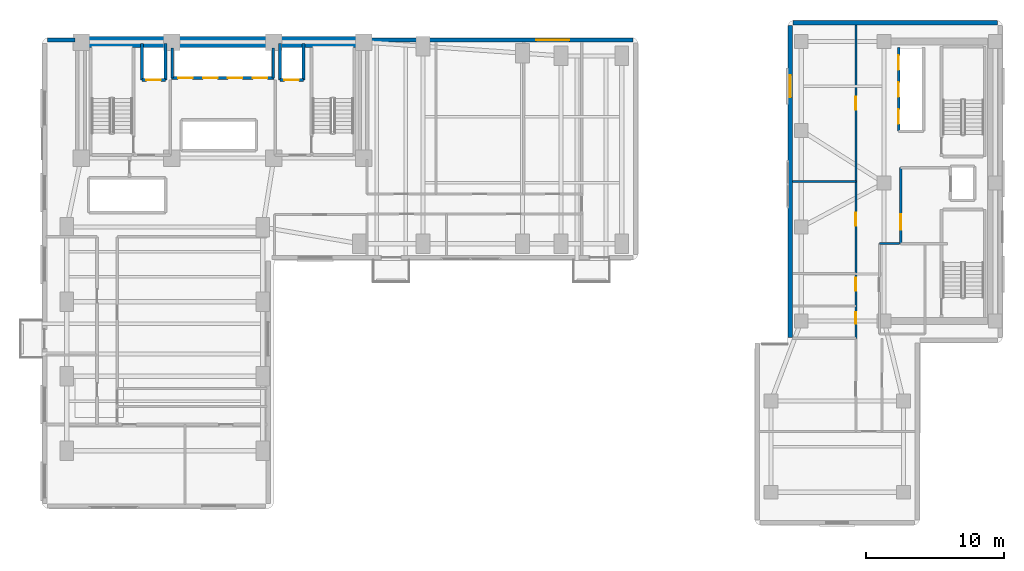
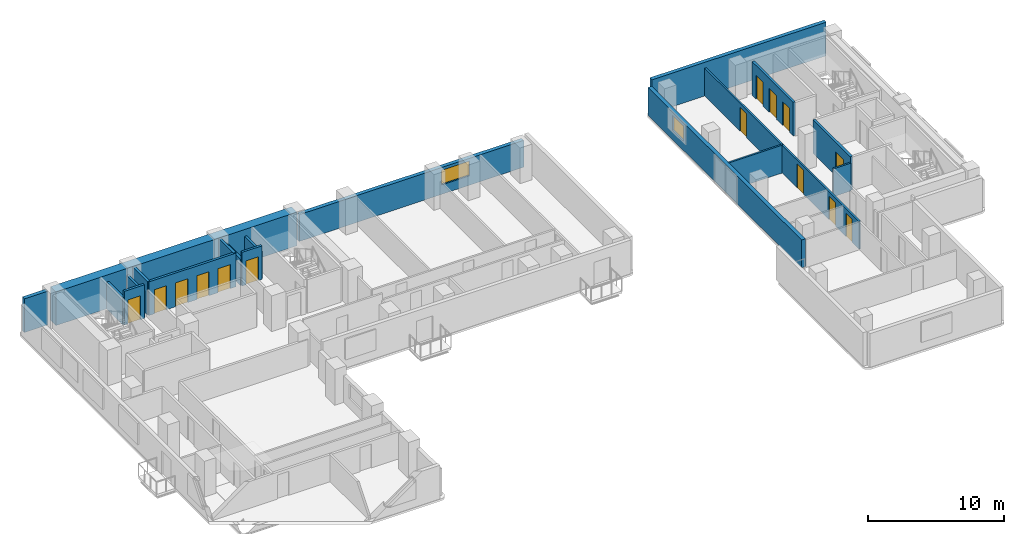
# One storey, part 12 of 17: 19 walls, 14 doors, 2 windows, 16 openings.
"""IFC4 building model written with IfcOpenShell, lengths in metres."""

from ifc_helpers import new_model, si_unit, direction, frame, frame_2d, origin, place, context, subcontext, project, spatial, rectangle, extrude, material, layer, layer_set, type_object, element, fill, save


model = new_model("IFC4")

# Units and contexts
model_context = context("Model", 3, precision=1e-05, world=origin(), true_north=direction((0.0, 1.0)))
body_context = subcontext(model_context, "Body", "Model", "MODEL_VIEW")
ifc_project = project(units=[si_unit("LENGTHUNIT", "METRE"), si_unit("AREAUNIT", "SQUARE_METRE"), si_unit("VOLUMEUNIT", "CUBIC_METRE"), si_unit("PLANEANGLEUNIT", "RADIAN"), si_unit("MASSUNIT", "GRAM", prefix="KILO")], contexts=[model_context])

# Site, building, storey
site_placement = place(None, origin())
site = spatial("IfcSite", under=ifc_project, at=site_placement, CompositionType="ELEMENT")
building_placement = place(site_placement, origin())
building = spatial("IfcBuilding", under=site, at=building_placement, Name="Kuzgunbayir Cultural Tower", CompositionType="ELEMENT")
storey_placement = place(building_placement, frame((0.0, 0.0, 46.800048828125)))
storey = spatial("IfcBuildingStorey", under=building, at=storey_placement, Name="L12", CompositionType="ELEMENT", Elevation=46.800048828125)

# Wall
ifc_material_1 = material(Name="Concrete C60/75", Category="concrete")
ifc_layer_1 = layer(ifc_material_1, 0.800048828125)
ifc_layer_set_1 = layer_set([ifc_layer_1], Name="Concrete C60/75")
wall_type_1 = type_object("IfcWallType", Name="WAL-CORE-800", PredefinedType="SHEAR", material=ifc_layer_set_1)
wall_1_placement = place(storey_placement, frame((6.449951171875, 42.199951171875, 0.0), z_axis=(0.0, 0.0, 1.0), x_axis=(1.0, 0.0, 0.0)))
element("IfcWall", 1, at=wall_1_placement, inside=storey, type_object=wall_type_1, Name="L12 T1 Core North Shear Wall", PredefinedType="SHEAR", context=body_context, shape_type="SweptSolid", body=[
    extrude(rectangle(XDim=20.449951171875, YDim=0.800048828125, at=frame_2d((10.22509765625, 0.0))), origin(), (0.0, 0.0, 1.0), 3.02001953125),
])

# Wall, opening, window
ifc_material_2 = material(Name="Travertine Buff Ashlar", Category="masonry")
ifc_layer_2 = layer(ifc_material_2, 0.320068359375)
ifc_layer_set_2 = layer_set([ifc_layer_2], Name="Travertine Buff Ashlar")
wall_type_2 = type_object("IfcWallType", Name="WAL-EXT-STONE-320", PredefinedType="STANDARD", material=ifc_layer_set_2)
wall_2_placement = place(storey_placement, frame((46.39990234375, 42.35009765625, 0.0), z_axis=(0.0, 0.0, 1.0), x_axis=(-1.0, 0.0, 0.0)))
wall_2 = element("IfcWall", 2, at=wall_2_placement, inside=storey, type_object=wall_type_2, Name="L12 North Wing B Limestone Wall", PredefinedType="STANDARD", context=body_context, shape_type="SweptSolid", body=[
    extrude(rectangle(XDim=19.0498046875, YDim=0.320068359375, at=frame_2d((9.52490234375, 0.0))), origin(), (0.0, 0.0, 1.0), 2.409912109375),
])
opening_1_placement = place(wall_2_placement, frame((4.60009765625, 0.0, 0.85009765625)))
opening_1 = element("IfcOpeningElement", 3, at=opening_1_placement, cuts=wall_2, Name="Opening WO-24", PredefinedType="OPENING", context=body_context, shape_type="SweptSolid", body=[
    extrude(rectangle(XDim=2.39990234375, YDim=1.31005859375, at=frame_2d((1.199951171875, 0.655029296875))), frame((0.0, 0.169921875, 0.0), z_axis=(0.0, -1.0, 0.0), x_axis=(1.0, 0.0, 0.0)), (0.0, 0.0, 1.0), 0.340087890625),
])
ifc_material_3 = material(Name="Solar-Control Triple Glazing", Category="glass")
window_type_1 = type_object("IfcWindowType", Name="WIN-OFFICE-24", PartitioningType="SINGLE_PANEL", PredefinedType="WINDOW", material=ifc_material_3)
window_1_placement = place(opening_1_placement, origin())
window_1 = element("IfcWindow", 4, at=window_1_placement, inside=storey, type_object=window_type_1, Name="L12 CRN Facade Window 1", OverallHeight=1.31005859375, OverallWidth=2.39990234375, PartitioningType="SINGLE_PANEL", PredefinedType="WINDOW", context=body_context, shape_type="SweptSolid", body=[
    extrude(rectangle(XDim=2.39990234375, YDim=1.31005859375, at=frame_2d((1.199951171875, 0.655029296875))), frame((0.0, 0.030029296875, 0.0), z_axis=(0.0, -1.0, 0.0), x_axis=(1.0, 0.0, 0.0)), (0.0, 0.0, 1.0), 0.06005859375),
])
fill(opening_1, window_1)

# Wall
wall_3_placement = place(storey_placement, frame((6.0, 42.35009765625, 0.0), z_axis=(0.0, 0.0, 1.0), x_axis=(-1.0, 0.0, 0.0)))
element("IfcWall", 5, at=wall_3_placement, inside=storey, type_object=wall_type_2, Name="L12 Core North-West Spandrel Link", PredefinedType="STANDARD", context=body_context, shape_type="SweptSolid", body=[
    extrude(rectangle(XDim=2.0, YDim=0.320068359375, at=frame_2d((1.0, 0.0))), origin(), (0.0, 0.0, 1.0), 3.02001953125),
])

# Wall, opening, window
wall_4_placement = place(storey_placement, frame((57.800048828125, 43.39990234375, 0.0), z_axis=(0.0, 0.0, 1.0), x_axis=(0.0, -1.0, 0.0)))
wall_4 = element("IfcWall", 6, at=wall_4_placement, inside=storey, type_object=wall_type_2, Name="L12 Companion West Limestone Wall", PredefinedType="STANDARD", context=body_context, shape_type="SweptSolid", body=[
    extrude(rectangle(XDim=22.599853515625, YDim=0.320068359375, at=frame_2d((11.2998046875, 0.0))), origin(), (0.0, 0.0, 1.0), 2.5),
])
opening_2_placement = place(wall_4_placement, frame((3.60009765625, 0.0, 0.85009765625)))
opening_2 = element("IfcOpeningElement", 7, at=opening_2_placement, cuts=wall_4, Name="Opening WC-16", PredefinedType="OPENING", context=body_context, shape_type="SweptSolid", body=[
    extrude(rectangle(XDim=1.60009765625, YDim=1.35009765625, at=frame_2d((0.800048828125, 0.675048828125))), frame((0.0, 0.169921875, 0.0), z_axis=(0.0, -1.0, 0.0), x_axis=(1.0, 0.0, 0.0)), (0.0, 0.0, 1.0), 0.340087890625),
])
window_type_2 = type_object("IfcWindowType", Name="WIN-COMP-16", PartitioningType="SINGLE_PANEL", PredefinedType="WINDOW", material=ifc_material_3)
window_2_placement = place(opening_2_placement, origin())
window_2 = element("IfcWindow", 8, at=window_2_placement, inside=storey, type_object=window_type_2, Name="L12 Companion West Window 39", OverallHeight=1.35009765625, OverallWidth=1.60009765625, PartitioningType="SINGLE_PANEL", PredefinedType="WINDOW", context=body_context, shape_type="SweptSolid", body=[
    extrude(rectangle(XDim=1.60009765625, YDim=1.35009765625, at=frame_2d((0.800048828125, 0.675048828125))), frame((0.0, 0.030029296875, 0.0), z_axis=(0.0, -1.0, 0.0), x_axis=(1.0, 0.0, 0.0)), (0.0, 0.0, 1.0), 0.06005859375),
])
fill(opening_2, window_2)

# Walls
wall_5_placement = place(storey_placement, frame((72.800048828125, 43.60009765625, 0.0), z_axis=(0.0, 0.0, 1.0), x_axis=(-1.0, 0.0, 0.0)))
element("IfcWall", 9, at=wall_5_placement, inside=storey, type_object=wall_type_2, Name="L12 Companion North Limestone Wall", PredefinedType="STANDARD", context=body_context, shape_type="SweptSolid", body=[
    extrude(rectangle(XDim=14.800048828125, YDim=0.320068359375, at=frame_2d((7.39990234375, 0.0))), origin(), (0.0, 0.0, 1.0), 3.02001953125),
])
ifc_material_4 = material(Name="Acoustic Double-Stud Drywall", Category="gypsum")
ifc_layer_3 = layer(ifc_material_4, 0.14990234375)
ifc_layer_set_3 = layer_set([ifc_layer_3], Name="Acoustic Double-Stud Drywall")
wall_type_3 = type_object("IfcWallType", Name="WAL-PART-ACOUSTIC-150", PredefinedType="PARTITIONING", material=ifc_layer_set_3)
wall_6_placement = place(storey_placement, frame((64.25, 27.60009765625, 0.0), z_axis=(0.0, 0.0, 1.0), x_axis=(1.0, 0.0, 0.0)))
element("IfcWall", 10, at=wall_6_placement, inside=storey, type_object=wall_type_3, Name="L12 Companion Archive North Wall", PredefinedType="PARTITIONING", context=body_context, shape_type="SweptSolid", body=[
    extrude(rectangle(XDim=1.469970703125, YDim=0.14990234375, at=frame_2d((0.73486328125, 0.0))), origin(), (0.0, 0.0, 1.0), 2.5),
])

# Wall, openings, doors
wall_7_placement = place(storey_placement, frame((62.550048828125, 20.75, 0.0), z_axis=(0.0, 0.0, 1.0), x_axis=(0.0, 1.0, 0.0)))
wall_7 = element("IfcWall", 11, at=wall_7_placement, inside=storey, type_object=wall_type_3, Name="L12 Companion Corridor West Wall", PredefinedType="PARTITIONING", context=body_context, shape_type="SweptSolid", body=[
    extrude(rectangle(XDim=22.699951171875, YDim=0.14990234375, at=frame_2d((11.35009765625, 0.0))), origin(), (0.0, 0.0, 1.0), 2.5),
])
opening_3_placement = place(wall_7_placement, frame((1.050048828125, 0.0, 0.0)))
opening_3 = element("IfcOpeningElement", 12, at=opening_3_placement, cuts=wall_7, Name="Opening DW-85", PredefinedType="OPENING", context=body_context, shape_type="SweptSolid", body=[
    extrude(rectangle(XDim=0.85009765625, YDim=2.10009765625, at=frame_2d((0.425048828125, 1.050048828125))), frame((0.0, 0.0849609375, 0.0), z_axis=(0.0, -1.0, 0.0), x_axis=(1.0, 0.0, 0.0)), (0.0, 0.0, 1.0), 0.169921875),
])
opening_4_placement = place(wall_7_placement, frame((3.429931640625, 0.0, 0.0)))
opening_4 = element("IfcOpeningElement", 13, at=opening_4_placement, cuts=wall_7, Name="Opening DW-95", PredefinedType="OPENING", context=body_context, shape_type="SweptSolid", body=[
    extrude(rectangle(XDim=0.949951171875, YDim=2.10009765625, at=frame_2d((0.47509765625, 1.050048828125))), frame((0.0, 0.0849609375, 0.0), z_axis=(0.0, -1.0, 0.0), x_axis=(1.0, 0.0, 0.0)), (0.0, 0.0, 1.0), 0.169921875),
])
opening_5_placement = place(wall_7_placement, frame((8.14990234375, 0.0, 0.0)))
opening_5 = element("IfcOpeningElement", 14, at=opening_5_placement, cuts=wall_7, Name="Opening DI-90", PredefinedType="OPENING", context=body_context, shape_type="SweptSolid", body=[
    extrude(rectangle(XDim=0.949951171875, YDim=2.14990234375, at=frame_2d((0.47509765625, 1.074951171875))), frame((0.0, 0.0849609375, 0.0), z_axis=(0.0, -1.0, 0.0), x_axis=(1.0, 0.0, 0.0)), (0.0, 0.0, 1.0), 0.169921875),
])
opening_6_placement = place(wall_7_placement, frame((16.550048828125, 0.0, 0.0)))
opening_6 = element("IfcOpeningElement", 15, at=opening_6_placement, cuts=wall_7, Name="Opening DI-90", PredefinedType="OPENING", context=body_context, shape_type="SweptSolid", body=[
    extrude(rectangle(XDim=0.949951171875, YDim=2.14990234375, at=frame_2d((0.47509765625, 1.074951171875))), frame((0.0, 0.0849609375, 0.0), z_axis=(0.0, -1.0, 0.0), x_axis=(1.0, 0.0, 0.0)), (0.0, 0.0, 1.0), 0.169921875),
])
ifc_material_5 = material(Name="Veneered Oak Single Leaf", Category="wood")
door_type_1 = type_object("IfcDoorType", Name="DR-INT-90", OperationType="NOTDEFINED", PredefinedType="DOOR", material=ifc_material_5)
door_1_placement = place(opening_5_placement, origin())
door_1 = element("IfcDoor", 16, at=door_1_placement, inside=storey, type_object=door_type_1, Name="L12 Companion Curatorial Office 1 Door", OperationType="SINGLE_SWING_LEFT", OverallHeight=2.14990234375, OverallWidth=0.949951171875, PredefinedType="DOOR", context=body_context, shape_type="SweptSolid", body=[
    extrude(rectangle(XDim=0.949951171875, YDim=2.14990234375, at=frame_2d((0.47509765625, 1.074951171875))), frame((0.0, 0.02490234375, 0.0), z_axis=(0.0, -1.0, 0.0), x_axis=(1.0, 0.0, 0.0)), (0.0, 0.0, 1.0), 0.050048828125),
])
fill(opening_5, door_1)
door_2_placement = place(opening_6_placement, origin())
door_2 = element("IfcDoor", 17, at=door_2_placement, inside=storey, type_object=door_type_1, Name="L12 Companion Art Publication Salon 2 Door", OperationType="SINGLE_SWING_RIGHT", OverallHeight=2.14990234375, OverallWidth=0.949951171875, PredefinedType="DOOR", context=body_context, shape_type="SweptSolid", body=[
    extrude(rectangle(XDim=0.949951171875, YDim=2.14990234375, at=frame_2d((0.47509765625, 1.074951171875))), frame((0.0, 0.02490234375, 0.0), z_axis=(0.0, -1.0, 0.0), x_axis=(1.0, 0.0, 0.0)), (0.0, 0.0, 1.0), 0.050048828125),
])
fill(opening_6, door_2)
ifc_material_6 = material(Name="Laminate Moisture-Resistant Leaf", Category="wood")
door_type_2 = type_object("IfcDoorType", Name="DR-WET-85", OperationType="NOTDEFINED", PredefinedType="DOOR", material=ifc_material_6)
door_3_placement = place(opening_3_placement, origin())
door_3 = element("IfcDoor", 18, at=door_3_placement, inside=storey, type_object=door_type_2, Name="L12 Companion WC Door", OperationType="SINGLE_SWING_LEFT", OverallHeight=2.10009765625, OverallWidth=0.85009765625, PredefinedType="DOOR", context=body_context, shape_type="SweptSolid", body=[
    extrude(rectangle(XDim=0.85009765625, YDim=2.10009765625, at=frame_2d((0.425048828125, 1.050048828125))), frame((0.0, 0.02490234375, 0.0), z_axis=(0.0, -1.0, 0.0), x_axis=(1.0, 0.0, 0.0)), (0.0, 0.0, 1.0), 0.050048828125),
])
fill(opening_3, door_3)
door_type_3 = type_object("IfcDoorType", Name="DR-WET-95", OperationType="NOTDEFINED", PredefinedType="DOOR", material=ifc_material_6)
door_4_placement = place(opening_4_placement, origin())
door_4 = element("IfcDoor", 19, at=door_4_placement, inside=storey, type_object=door_type_3, Name="L12 Companion Accessible WC Door", OperationType="SINGLE_SWING_RIGHT", OverallHeight=2.10009765625, OverallWidth=0.949951171875, PredefinedType="DOOR", context=body_context, shape_type="SweptSolid", body=[
    extrude(rectangle(XDim=0.949951171875, YDim=2.10009765625, at=frame_2d((0.47509765625, 1.050048828125))), frame((0.0, 0.02490234375, 0.0), z_axis=(0.0, -1.0, 0.0), x_axis=(1.0, 0.0, 0.0)), (0.0, 0.0, 1.0), 0.050048828125),
])
fill(opening_4, door_4)

# Wall
wall_8_placement = place(storey_placement, frame((57.949951171875, 32.110107421875, 0.0), z_axis=(0.0, 0.0, 1.0), x_axis=(1.0, 0.0, 0.0)))
element("IfcWall", 20, at=wall_8_placement, inside=storey, type_object=wall_type_3, Name="L12 Companion Studio Partition 1", PredefinedType="PARTITIONING", context=body_context, shape_type="SweptSolid", body=[
    extrude(rectangle(XDim=4.60009765625, YDim=0.14990234375, at=frame_2d((2.300048828125, 0.0))), origin(), (0.0, 0.0, 1.0), 2.5),
])

# Wall, opening, door
ifc_material_7 = material(Name="Aerated Concrete Blockwork", Category="masonry")
ifc_layer_4 = layer(ifc_material_7, 0.199951171875)
ifc_layer_set_4 = layer_set([ifc_layer_4], Name="Aerated Concrete Blockwork")
wall_type_4 = type_object("IfcWallType", Name="WAL-PART-FIRE-200", PredefinedType="PARTITIONING", material=ifc_layer_set_4)
wall_9_placement = place(storey_placement, frame((65.800048828125, 27.60009765625, 0.0), z_axis=(0.0, 0.0, 1.0), x_axis=(0.0, 1.0, 0.0)))
wall_9 = element("IfcWall", 21, at=wall_9_placement, inside=storey, type_object=wall_type_4, Name="L12 FFL-3 Lobby West Fire Wall", PredefinedType="PARTITIONING", context=body_context, shape_type="SweptSolid", body=[
    extrude(rectangle(XDim=5.5, YDim=0.199951171875, at=frame_2d((2.75, 0.0))), origin(), (0.0, 0.0, 1.0), 3.02001953125),
])
opening_7_placement = place(wall_9_placement, frame((1.0, 0.0, 0.0)))
opening_7 = element("IfcOpeningElement", 22, at=opening_7_placement, cuts=wall_9, Name="Opening DR-FFL-90", PredefinedType="OPENING", context=body_context, shape_type="SweptSolid", body=[
    extrude(rectangle(XDim=1.14990234375, YDim=2.14990234375, at=frame_2d((0.574951171875, 1.074951171875))), frame((0.0, 0.10986328125, 0.0), z_axis=(0.0, -1.0, 0.0), x_axis=(1.0, 0.0, 0.0)), (0.0, 0.0, 1.0), 0.219970703125),
])
ifc_material_8 = material(Name="Steel S355J2", Category="steel")
door_type_4 = type_object("IfcDoorType", Name="DR-FFL-90", OperationType="NOTDEFINED", PredefinedType="DOOR", material=ifc_material_8)
door_5_placement = place(opening_7_placement, origin())
door_5 = element("IfcDoor", 23, at=door_5_placement, inside=storey, type_object=door_type_4, Name="L12 Firefighting Lobby 3 Door", OperationType="SINGLE_SWING_RIGHT", OverallHeight=2.14990234375, OverallWidth=1.14990234375, PredefinedType="DOOR", context=body_context, shape_type="SweptSolid", body=[
    extrude(rectangle(XDim=1.14990234375, YDim=2.14990234375, at=frame_2d((0.574951171875, 1.074951171875))), frame((0.0, 0.02490234375, 0.0), z_axis=(0.0, -1.0, 0.0), x_axis=(1.0, 0.0, 0.0)), (0.0, 0.0, 1.0), 0.050048828125),
])
fill(opening_7, door_5)

ifc_material_9 = material(Name="Concrete C40/50", Category="concrete")
ifc_layer_5 = layer(ifc_material_9, 0.199951171875)
ifc_layer_set_5 = layer_set([ifc_layer_5], Name="Concrete C40/50")
wall_type_5 = type_object("IfcWallType", Name="WAL-SHAFT-200", PredefinedType="MOVABLE", material=ifc_layer_set_5)
wall_10_placement = place(storey_placement, frame((10.85009765625, 39.449951171875, 0.0), z_axis=(0.0, 0.0, 1.0), x_axis=(1.0, 0.0, 0.0)))
wall_10 = element("IfcWall", 24, at=wall_10_placement, inside=storey, type_object=wall_type_5, Name="L12 FFL-1 Lift Front Wall", PredefinedType="MOVABLE", context=body_context, shape_type="SweptSolid", body=[
    extrude(rectangle(XDim=1.699951171875, YDim=0.199951171875, at=frame_2d((0.85009765625, 0.0))), origin(), (0.0, 0.0, 1.0), 3.02001953125),
])
opening_8_placement = place(wall_10_placement, frame((0.320068359375, 0.0, 0.0)))
opening_8 = element("IfcOpeningElement", 25, at=opening_8_placement, cuts=wall_10, Name="Opening LD", PredefinedType="OPENING", context=body_context, shape_type="SweptSolid", body=[
    extrude(rectangle(XDim=1.050048828125, YDim=2.14990234375, at=frame_2d((0.52490234375, 1.074951171875))), frame((0.0, 0.10986328125, 0.0), z_axis=(0.0, -1.0, 0.0), x_axis=(1.0, 0.0, 0.0)), (0.0, 0.0, 1.0), 0.219970703125),
])
ifc_material_10 = material(Name="Brushed Stainless Steel", Category="steel")
door_type_5 = type_object("IfcDoorType", Name="DR-LIFT-LANDING", OperationType="SLIDING_TO_LEFT", PredefinedType="DOOR", material=ifc_material_10)
door_6_placement = place(opening_8_placement, origin())
door_6 = element("IfcDoor", 26, at=door_6_placement, inside=storey, type_object=door_type_5, Name="L12 Lift FFL-1 Landing Door", OperationType="SLIDING_TO_LEFT", OverallHeight=2.14990234375, OverallWidth=1.050048828125, PredefinedType="DOOR", context=body_context, shape_type="SweptSolid", body=[
    extrude(rectangle(XDim=1.050048828125, YDim=2.14990234375, at=frame_2d((0.52490234375, 1.074951171875))), frame((0.0, 0.02490234375, 0.0), z_axis=(0.0, -1.0, 0.0), x_axis=(1.0, 0.0, 0.0)), (0.0, 0.0, 1.0), 0.050048828125),
])
fill(opening_8, door_6)

wall_11_placement = place(storey_placement, frame((20.85009765625, 39.449951171875, 0.0), z_axis=(0.0, 0.0, 1.0), x_axis=(1.0, 0.0, 0.0)))
wall_11 = element("IfcWall", 27, at=wall_11_placement, inside=storey, type_object=wall_type_5, Name="L12 FFL-2 Lift Front Wall", PredefinedType="MOVABLE", context=body_context, shape_type="SweptSolid", body=[
    extrude(rectangle(XDim=1.699951171875, YDim=0.199951171875, at=frame_2d((0.85009765625, 0.0))), origin(), (0.0, 0.0, 1.0), 3.02001953125),
])
opening_9_placement = place(wall_11_placement, frame((0.320068359375, 0.0, 0.0)))
opening_9 = element("IfcOpeningElement", 28, at=opening_9_placement, cuts=wall_11, Name="Opening LD", PredefinedType="OPENING", context=body_context, shape_type="SweptSolid", body=[
    extrude(rectangle(XDim=1.050048828125, YDim=2.14990234375, at=frame_2d((0.52490234375, 1.074951171875))), frame((0.0, 0.10986328125, 0.0), z_axis=(0.0, -1.0, 0.0), x_axis=(1.0, 0.0, 0.0)), (0.0, 0.0, 1.0), 0.219970703125),
])
door_7_placement = place(opening_9_placement, origin())
door_7 = element("IfcDoor", 29, at=door_7_placement, inside=storey, type_object=door_type_5, Name="L12 Lift FFL-2 Landing Door", OperationType="SLIDING_TO_LEFT", OverallHeight=2.14990234375, OverallWidth=1.050048828125, PredefinedType="DOOR", context=body_context, shape_type="SweptSolid", body=[
    extrude(rectangle(XDim=1.050048828125, YDim=2.14990234375, at=frame_2d((0.52490234375, 1.074951171875))), frame((0.0, 0.02490234375, 0.0), z_axis=(0.0, -1.0, 0.0), x_axis=(1.0, 0.0, 0.0)), (0.0, 0.0, 1.0), 0.050048828125),
])
fill(opening_9, door_7)

# Walls
for number, where, z_axis, x_axis, name in (
    (30, (10.85009765625, 39.449951171875, 0.0), (0.0, 0.0, 1.0), (0.0, 1.0, 0.0), "L12 FFL-1 Shaft West Wall"),
    (31, (12.550048828125, 39.449951171875, 0.0), (0.0, 0.0, 1.0), (0.0, 1.0, 0.0), "L12 FFL-1 Shaft East Wall"),
    (32, (20.85009765625, 39.449951171875, 0.0), (0.0, 0.0, 1.0), (0.0, 1.0, 0.0), "L12 FFL-2 Shaft West Wall"),
    (33, (22.550048828125, 39.449951171875, 0.0), (0.0, 0.0, 1.0), (0.0, 1.0, 0.0), "L12 FFL-2 Shaft East Wall"),
):
    element("IfcWall", number, at=place(storey_placement, frame(where, z_axis=z_axis, x_axis=x_axis)), inside=storey, type_object=wall_type_5, Name=name, PredefinedType="MOVABLE", context=body_context, shape_type="SweptSolid", body=[
        extrude(rectangle(XDim=2.650146484375, YDim=0.199951171875, at=frame_2d((1.3251953125, 0.0))), origin(), (0.0, 0.0, 1.0), 2.409912109375),
    ])

# Wall, openings, doors
wall_12_placement = place(storey_placement, frame((13.0, 39.60009765625, 0.0), z_axis=(0.0, 0.0, 1.0), x_axis=(1.0, 0.0, 0.0)))
wall_12 = element("IfcWall", 34, at=wall_12_placement, inside=storey, type_object=wall_type_5, Name="L12 Low-Rise Lift Front Wall", PredefinedType="MOVABLE", context=body_context, shape_type="SweptSolid", body=[
    extrude(rectangle(XDim=7.39990234375, YDim=0.199951171875, at=frame_2d((3.699951171875, 0.0))), origin(), (0.0, 0.0, 1.0), 3.02001953125),
])
opening_10_placement = place(wall_12_placement, frame((0.469970703125, 0.0, 0.0)))
opening_10 = element("IfcOpeningElement", 35, at=opening_10_placement, cuts=wall_12, Name="Opening LD", PredefinedType="OPENING", context=body_context, shape_type="SweptSolid", body=[
    extrude(rectangle(XDim=1.050048828125, YDim=2.14990234375, at=frame_2d((0.52490234375, 1.074951171875))), frame((0.0, 0.10986328125, 0.0), z_axis=(0.0, -1.0, 0.0), x_axis=(1.0, 0.0, 0.0)), (0.0, 0.0, 1.0), 0.219970703125),
])
opening_11_placement = place(wall_12_placement, frame((2.280029296875, 0.0, 0.0)))
opening_11 = element("IfcOpeningElement", 36, at=opening_11_placement, cuts=wall_12, Name="Opening LD", PredefinedType="OPENING", context=body_context, shape_type="SweptSolid", body=[
    extrude(rectangle(XDim=1.050048828125, YDim=2.14990234375, at=frame_2d((0.52490234375, 1.074951171875))), frame((0.0, 0.10986328125, 0.0), z_axis=(0.0, -1.0, 0.0), x_axis=(1.0, 0.0, 0.0)), (0.0, 0.0, 1.0), 0.219970703125),
])
opening_12_placement = place(wall_12_placement, frame((4.080078125, 0.0, 0.0)))
opening_12 = element("IfcOpeningElement", 37, at=opening_12_placement, cuts=wall_12, Name="Opening LD", PredefinedType="OPENING", context=body_context, shape_type="SweptSolid", body=[
    extrude(rectangle(XDim=1.050048828125, YDim=2.14990234375, at=frame_2d((0.52490234375, 1.074951171875))), frame((0.0, 0.10986328125, 0.0), z_axis=(0.0, -1.0, 0.0), x_axis=(1.0, 0.0, 0.0)), (0.0, 0.0, 1.0), 0.219970703125),
])
opening_13_placement = place(wall_12_placement, frame((5.8798828125, 0.0, 0.0)))
opening_13 = element("IfcOpeningElement", 38, at=opening_13_placement, cuts=wall_12, Name="Opening LD", PredefinedType="OPENING", context=body_context, shape_type="SweptSolid", body=[
    extrude(rectangle(XDim=1.050048828125, YDim=2.14990234375, at=frame_2d((0.52490234375, 1.074951171875))), frame((0.0, 0.10986328125, 0.0), z_axis=(0.0, -1.0, 0.0), x_axis=(1.0, 0.0, 0.0)), (0.0, 0.0, 1.0), 0.219970703125),
])
door_8_placement = place(opening_10_placement, origin())
door_8 = element("IfcDoor", 39, at=door_8_placement, inside=storey, type_object=door_type_5, Name="L12 Lift PL-1 Landing Door", OperationType="SLIDING_TO_LEFT", OverallHeight=2.14990234375, OverallWidth=1.050048828125, PredefinedType="DOOR", context=body_context, shape_type="SweptSolid", body=[
    extrude(rectangle(XDim=1.050048828125, YDim=2.14990234375, at=frame_2d((0.52490234375, 1.074951171875))), frame((0.0, 0.02490234375, 0.0), z_axis=(0.0, -1.0, 0.0), x_axis=(1.0, 0.0, 0.0)), (0.0, 0.0, 1.0), 0.050048828125),
])
fill(opening_10, door_8)
door_9_placement = place(opening_11_placement, origin())
door_9 = element("IfcDoor", 40, at=door_9_placement, inside=storey, type_object=door_type_5, Name="L12 Lift PL-2 Landing Door", OperationType="SLIDING_TO_LEFT", OverallHeight=2.14990234375, OverallWidth=1.050048828125, PredefinedType="DOOR", context=body_context, shape_type="SweptSolid", body=[
    extrude(rectangle(XDim=1.050048828125, YDim=2.14990234375, at=frame_2d((0.52490234375, 1.074951171875))), frame((0.0, 0.02490234375, 0.0), z_axis=(0.0, -1.0, 0.0), x_axis=(1.0, 0.0, 0.0)), (0.0, 0.0, 1.0), 0.050048828125),
])
fill(opening_11, door_9)
door_10_placement = place(opening_12_placement, origin())
door_10 = element("IfcDoor", 41, at=door_10_placement, inside=storey, type_object=door_type_5, Name="L12 Lift PL-3 Landing Door", OperationType="SLIDING_TO_LEFT", OverallHeight=2.14990234375, OverallWidth=1.050048828125, PredefinedType="DOOR", context=body_context, shape_type="SweptSolid", body=[
    extrude(rectangle(XDim=1.050048828125, YDim=2.14990234375, at=frame_2d((0.52490234375, 1.074951171875))), frame((0.0, 0.02490234375, 0.0), z_axis=(0.0, -1.0, 0.0), x_axis=(1.0, 0.0, 0.0)), (0.0, 0.0, 1.0), 0.050048828125),
])
fill(opening_12, door_10)
door_11_placement = place(opening_13_placement, origin())
door_11 = element("IfcDoor", 42, at=door_11_placement, inside=storey, type_object=door_type_5, Name="L12 Lift PL-4 Landing Door", OperationType="SLIDING_TO_LEFT", OverallHeight=2.14990234375, OverallWidth=1.050048828125, PredefinedType="DOOR", context=body_context, shape_type="SweptSolid", body=[
    extrude(rectangle(XDim=1.050048828125, YDim=2.14990234375, at=frame_2d((0.52490234375, 1.074951171875))), frame((0.0, 0.02490234375, 0.0), z_axis=(0.0, -1.0, 0.0), x_axis=(1.0, 0.0, 0.0)), (0.0, 0.0, 1.0), 0.050048828125),
])
fill(opening_13, door_11)

# Walls
for number, where, z_axis, x_axis, name in (
    (43, (13.050048828125, 39.60009765625, 0.0), (0.0, 0.0, 1.0), (0.0, 1.0, 0.0), "L12 Low-Rise Lift Shaft West Wall"),
    (44, (20.35009765625, 39.60009765625, 0.0), (0.0, 0.0, 1.0), (0.0, 1.0, 0.0), "L12 Low-Rise Lift Shaft East Wall"),
):
    element("IfcWall", number, at=place(storey_placement, frame(where, z_axis=z_axis, x_axis=x_axis)), inside=storey, type_object=wall_type_5, Name=name, PredefinedType="MOVABLE", context=body_context, shape_type="SweptSolid", body=[
        extrude(rectangle(XDim=2.179931640625, YDim=0.199951171875, at=frame_2d((1.08984375, 0.0))), origin(), (0.0, 0.0, 1.0), 3.02001953125),
    ])

# Wall, openings, doors
wall_13_placement = place(storey_placement, frame((65.64990234375, 35.75, 0.0), z_axis=(0.0, 0.0, 1.0), x_axis=(0.0, 1.0, 0.0)))
wall_13 = element("IfcWall", 45, at=wall_13_placement, inside=storey, type_object=wall_type_5, Name="L12 Companion Lift Front Wall", PredefinedType="MOVABLE", context=body_context, shape_type="SweptSolid", body=[
    extrude(rectangle(XDim=6.050048828125, YDim=0.199951171875, at=frame_2d((3.02490234375, 0.0))), origin(), (0.0, 0.0, 1.0), 3.02001953125),
])
opening_14_placement = place(wall_13_placement, frame((0.52001953125, 0.0, 0.0)))
opening_14 = element("IfcOpeningElement", 46, at=opening_14_placement, cuts=wall_13, Name="Opening LD", PredefinedType="OPENING", context=body_context, shape_type="SweptSolid", body=[
    extrude(rectangle(XDim=1.050048828125, YDim=2.14990234375, at=frame_2d((0.52490234375, 1.074951171875))), frame((0.0, 0.10986328125, 0.0), z_axis=(0.0, -1.0, 0.0), x_axis=(1.0, 0.0, 0.0)), (0.0, 0.0, 1.0), 0.219970703125),
])
opening_15_placement = place(wall_13_placement, frame((2.47998046875, 0.0, 0.0)))
opening_15 = element("IfcOpeningElement", 47, at=opening_15_placement, cuts=wall_13, Name="Opening LD", PredefinedType="OPENING", context=body_context, shape_type="SweptSolid", body=[
    extrude(rectangle(XDim=1.050048828125, YDim=2.14990234375, at=frame_2d((0.52490234375, 1.074951171875))), frame((0.0, 0.10986328125, 0.0), z_axis=(0.0, -1.0, 0.0), x_axis=(1.0, 0.0, 0.0)), (0.0, 0.0, 1.0), 0.219970703125),
])
opening_16_placement = place(wall_13_placement, frame((4.429931640625, 0.0, 0.0)))
opening_16 = element("IfcOpeningElement", 48, at=opening_16_placement, cuts=wall_13, Name="Opening LD", PredefinedType="OPENING", context=body_context, shape_type="SweptSolid", body=[
    extrude(rectangle(XDim=1.050048828125, YDim=2.14990234375, at=frame_2d((0.52490234375, 1.074951171875))), frame((0.0, 0.10986328125, 0.0), z_axis=(0.0, -1.0, 0.0), x_axis=(1.0, 0.0, 0.0)), (0.0, 0.0, 1.0), 0.219970703125),
])
door_12_placement = place(opening_14_placement, origin())
door_12 = element("IfcDoor", 49, at=door_12_placement, inside=storey, type_object=door_type_5, Name="L12 Lift PC-1 Landing Door", OperationType="SLIDING_TO_LEFT", OverallHeight=2.14990234375, OverallWidth=1.050048828125, PredefinedType="DOOR", context=body_context, shape_type="SweptSolid", body=[
    extrude(rectangle(XDim=1.050048828125, YDim=2.14990234375, at=frame_2d((0.52490234375, 1.074951171875))), frame((0.0, 0.02490234375, 0.0), z_axis=(0.0, -1.0, 0.0), x_axis=(1.0, 0.0, 0.0)), (0.0, 0.0, 1.0), 0.050048828125),
])
fill(opening_14, door_12)
door_13_placement = place(opening_15_placement, origin())
door_13 = element("IfcDoor", 50, at=door_13_placement, inside=storey, type_object=door_type_5, Name="L12 Lift PC-2 Landing Door", OperationType="SLIDING_TO_LEFT", OverallHeight=2.14990234375, OverallWidth=1.050048828125, PredefinedType="DOOR", context=body_context, shape_type="SweptSolid", body=[
    extrude(rectangle(XDim=1.050048828125, YDim=2.14990234375, at=frame_2d((0.52490234375, 1.074951171875))), frame((0.0, 0.02490234375, 0.0), z_axis=(0.0, -1.0, 0.0), x_axis=(1.0, 0.0, 0.0)), (0.0, 0.0, 1.0), 0.050048828125),
])
fill(opening_15, door_13)
door_14_placement = place(opening_16_placement, origin())
door_14 = element("IfcDoor", 51, at=door_14_placement, inside=storey, type_object=door_type_5, Name="L12 Lift PC-3 Landing Door", OperationType="SLIDING_TO_LEFT", OverallHeight=2.14990234375, OverallWidth=1.050048828125, PredefinedType="DOOR", context=body_context, shape_type="SweptSolid", body=[
    extrude(rectangle(XDim=1.050048828125, YDim=2.14990234375, at=frame_2d((0.52490234375, 1.074951171875))), frame((0.0, 0.02490234375, 0.0), z_axis=(0.0, -1.0, 0.0), x_axis=(1.0, 0.0, 0.0)), (0.0, 0.0, 1.0), 0.050048828125),
])
fill(opening_16, door_14)

save(model, "model.ifc")
